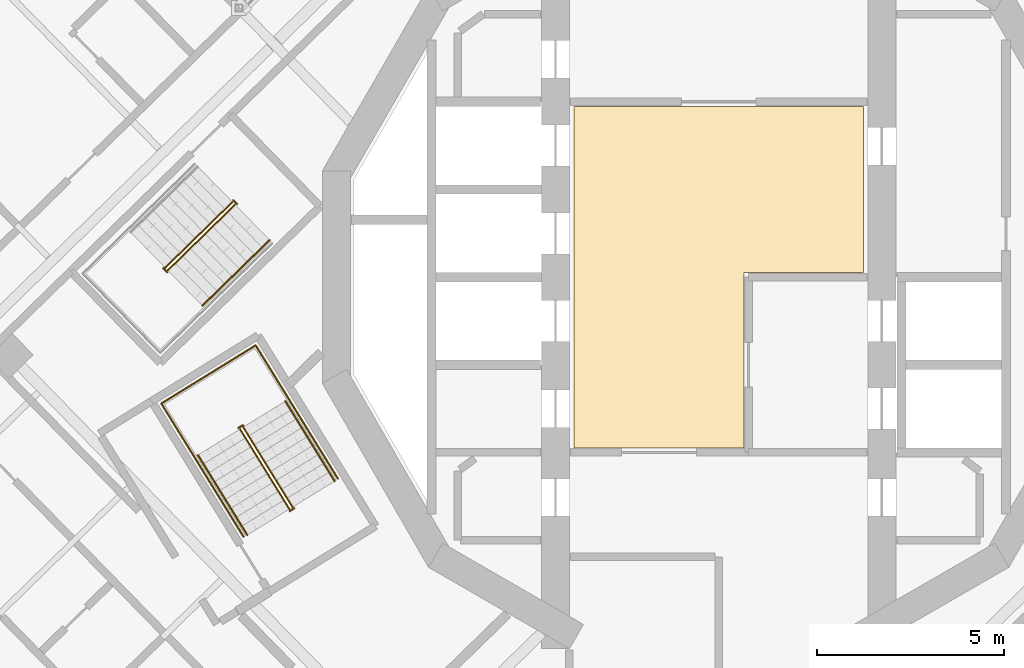
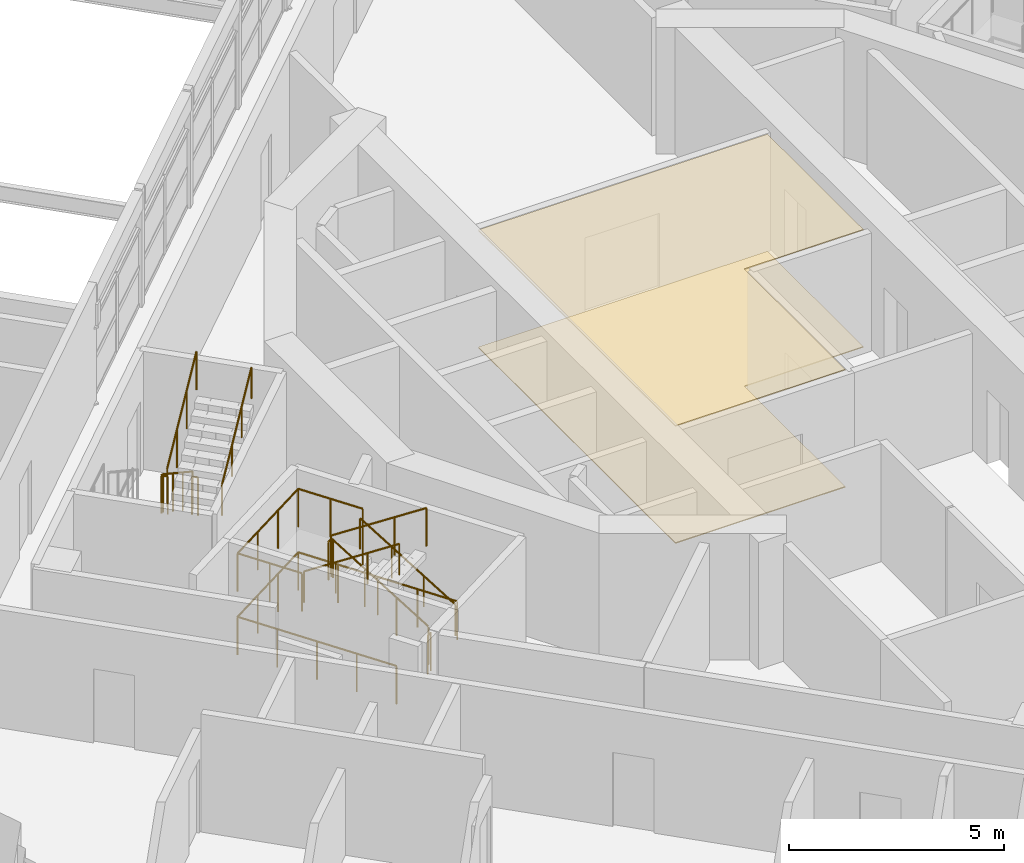
# One storey, part 15 of 19: 11 railings, 2 coverings.
"""IFC4 building model written with IfcOpenShell, lengths in metres."""

from ifc_helpers import new_model, si_unit, direction, frame, origin, origin_2d, place, context, subcontext, project, spatial, polyline, circle, outline, extrude, material, layer, layer_set, type_object, element, save


model = new_model("IFC4")

# Units and contexts
model_context = context("Model", 3, precision=1e-05, world=origin(), true_north=direction((0.0, 1.0)))
body_context = subcontext(model_context, "Body", "Model", "MODEL_VIEW")
ifc_project = project(units=[si_unit("LENGTHUNIT", "METRE"), si_unit("AREAUNIT", "SQUARE_METRE"), si_unit("VOLUMEUNIT", "CUBIC_METRE"), si_unit("PLANEANGLEUNIT", "RADIAN"), si_unit("MASSUNIT", "GRAM", prefix="KILO")], contexts=[model_context])

# Site, building, storey
site_placement = place(None, origin())
site = spatial("IfcSite", under=ifc_project, at=site_placement, CompositionType="ELEMENT")
building_placement = place(site_placement, origin())
building = spatial("IfcBuilding", under=site, at=building_placement, Name="Cantera Rosa Tower", CompositionType="ELEMENT")
storey_placement = place(building_placement, frame((0.0, 0.0, 223.39990234375)))
storey = spatial("IfcBuildingStorey", under=building, at=storey_placement, Name="L48", CompositionType="ELEMENT", Elevation=223.39990234375)

# Railings
ifc_material_1 = material(Name="Steel S355J2 (EN 10025-2)", Category="steel")
railing_type_1 = type_object("IfcRailingType", Name="STAIR GUARD 1100", PredefinedType="GUARDRAIL", material=ifc_material_1)
railing_1_placement = place(storey_placement, frame((-13.032958984375, 2.013427734375, 0.18017578125)))
element("IfcRailing", 1, at=railing_1_placement, inside=storey, type_object=railing_type_1, Name="L48 ST-43 stair guard 1", PredefinedType="GUARDRAIL", context=body_context, shape_type="SweptSolid", body=[
    extrude(circle(Radius=0.02392578125, at=origin_2d()), frame((0.0, 0.0, 1.076171875), z_axis=(-0.60169873645, -0.587844099419, 0.540738333515), x_axis=(0.698823692472, -0.715293958342, 0.0)), (0.0, 0.0, 1.0), 2.99560546875),
    extrude(circle(Radius=0.02392578125, at=origin_2d()), frame((-1.802490234375, -1.760986328125, 2.69580078125), z_axis=(-0.956987977523, -0.290127576896, 0.0), x_axis=(0.290127576896, -0.956987977523, 0.0)), (0.0, 0.0, 1.0), 0.056396484375),
    extrude(circle(Radius=0.02392578125, at=origin_2d()), frame((-1.8564453125, -1.77734375, 2.69580078125), z_axis=(0.698932947801, -0.715187202401, 0.0), x_axis=(0.715187202401, 0.698932947801, 0.0)), (0.0, 0.0, 1.0), 0.150146484375),
    extrude(circle(Radius=0.02099609375, at=origin_2d()), origin(), (0.0, 0.0, 1.0), 1.052001953125),
    extrude(circle(Radius=0.02099609375, at=origin_2d()), frame((-0.600830078125, -0.5869140625, 0.5400390625)), (0.0, 0.0, 1.0), 1.052001953125),
    extrude(circle(Radius=0.02099609375, at=origin_2d()), frame((-1.20166015625, -1.174072265625, 1.079833984375)), (0.0, 0.0, 1.0), 1.052001953125),
    extrude(circle(Radius=0.02099609375, at=origin_2d()), frame((-1.802490234375, -1.760986328125, 1.619873046875)), (0.0, 0.0, 1.0), 1.052001953125),
    extrude(circle(Radius=0.02099609375, at=origin_2d()), frame((-1.8564453125, -1.77734375, 1.619873046875)), (0.0, 0.0, 1.0), 1.052001953125),
    extrude(circle(Radius=0.02099609375, at=origin_2d()), frame((-1.75146484375, -1.884765625, 1.619873046875)), (0.0, 0.0, 1.0), 1.052001953125),
])
railing_2_placement = place(storey_placement, frame((-14.766845703125, 0.182373046875, 1.97998046875)))
element("IfcRailing", 2, at=railing_2_placement, inside=storey, type_object=railing_type_1, Name="L48 ST-43 stair guard 2", PredefinedType="GUARDRAIL", context=body_context, shape_type="SweptSolid", body=[
    extrude(circle(Radius=0.02392578125, at=origin_2d()), frame((0.0, 0.0, 1.076171875), z_axis=(0.601672219931, 0.587818193466, 0.54079599776), x_axis=(-0.698823692472, 0.715293958342, 0.0)), (0.0, 0.0, 1.0), 2.995849609375),
    extrude(circle(Radius=0.02099609375, at=origin_2d()), origin(), (0.0, 0.0, 1.0), 1.052001953125),
    extrude(circle(Radius=0.02099609375, at=origin_2d()), frame((0.600830078125, 0.5869140625, 0.5400390625)), (0.0, 0.0, 1.0), 1.052001953125),
    extrude(circle(Radius=0.02099609375, at=origin_2d()), frame((1.20166015625, 1.174072265625, 1.080078125)), (0.0, 0.0, 1.0), 1.052001953125),
    extrude(circle(Radius=0.02099609375, at=origin_2d()), frame((1.802490234375, 1.760986328125, 1.6201171875)), (0.0, 0.0, 1.0), 1.052001953125),
])
railing_3_placement = place(storey_placement, frame((-13.01513671875, 2.06689453125, 0.0)))
element("IfcRailing", 3, at=railing_3_placement, inside=storey, type_object=railing_type_1, Name="L48 ST-43 stair guard 3", PredefinedType="GUARDRAIL", context=body_context, shape_type="SweptSolid", body=[
    extrude(circle(Radius=0.02392578125, at=origin_2d()), frame((0.0, 0.0, 1.076171875), z_axis=(0.698914008722, -0.715205710557, 0.0), x_axis=(0.715205710557, 0.698914008722, 0.0)), (0.0, 0.0, 1.0), 0.14990234375),
    extrude(circle(Radius=0.02099609375, at=origin_2d()), origin(), (0.0, 0.0, 1.0), 1.052001953125),
    extrude(circle(Radius=0.02099609375, at=origin_2d()), frame((0.104736328125, -0.107177734375, 0.0)), (0.0, 0.0, 1.0), 1.052001953125),
])
railing_4_placement = place(storey_placement, frame((-11.42333984375, -6.165771484375, 0.18017578125)))
element("IfcRailing", 4, at=railing_4_placement, inside=storey, type_object=railing_type_1, Name="L48 ST-44 stair guard 1", PredefinedType="GUARDRAIL", context=body_context, shape_type="SweptSolid", body=[
    extrude(circle(Radius=0.02392578125, at=origin_2d()), frame((0.0, 0.0, 1.076171875), z_axis=(-0.441628529057, 0.715945124149, 0.540728047664), x_axis=(-0.851102330005, -0.524999832248, 0.0)), (0.0, 0.0, 1.0), 2.99560546875),
    extrude(circle(Radius=0.02392578125, at=origin_2d()), frame((-1.322998046875, 2.144775390625, 2.69580078125), z_axis=(-0.073711968402, 0.997279572494, 0.0), x_axis=(-0.997279572494, -0.073711968402, 0.0)), (0.0, 0.0, 1.0), 0.056396484375),
    extrude(circle(Radius=0.02392578125, at=origin_2d()), frame((-1.3271484375, 2.200927734375, 2.69580078125), z_axis=(-0.851546489876, -0.524279100842, 0.0), x_axis=(0.524279100842, -0.851546489876, 0.0)), (0.0, 0.0, 1.0), 0.14990234375),
    extrude(circle(Radius=0.02099609375, at=origin_2d()), origin(), (0.0, 0.0, 1.0), 1.052001953125),
    extrude(circle(Radius=0.02099609375, at=origin_2d()), frame((-0.44091796875, 0.71484375, 0.5400390625)), (0.0, 0.0, 1.0), 1.052001953125),
    extrude(circle(Radius=0.02099609375, at=origin_2d()), frame((-0.882080078125, 1.429931640625, 1.079833984375)), (0.0, 0.0, 1.0), 1.052001953125),
    extrude(circle(Radius=0.02099609375, at=origin_2d()), frame((-1.322998046875, 2.144775390625, 1.619873046875)), (0.0, 0.0, 1.0), 1.052001953125),
    extrude(circle(Radius=0.02099609375, at=origin_2d()), frame((-1.3271484375, 2.200927734375, 1.619873046875)), (0.0, 0.0, 1.0), 1.052001953125),
    extrude(circle(Radius=0.02099609375, at=origin_2d()), frame((-1.454833984375, 2.122314453125, 1.619873046875)), (0.0, 0.0, 1.0), 1.052001953125),
])
railing_5_placement = place(storey_placement, frame((-12.82958984375, -4.072509765625, 1.97998046875)))
element("IfcRailing", 5, at=railing_5_placement, inside=storey, type_object=railing_type_1, Name="L48 ST-44 stair guard 2", PredefinedType="GUARDRAIL", context=body_context, shape_type="SweptSolid", body=[
    extrude(circle(Radius=0.02392578125, at=origin_2d()), frame((0.0, 0.0, 1.076171875), z_axis=(0.44154346381, -0.715939337315, 0.540805172729), x_axis=(0.851145618652, 0.524929648476, 0.0)), (0.0, 0.0, 1.0), 2.995849609375),
    extrude(circle(Radius=0.02099609375, at=origin_2d()), origin(), (0.0, 0.0, 1.0), 1.052001953125),
    extrude(circle(Radius=0.02099609375, at=origin_2d()), frame((0.44091796875, -0.71484375, 0.5400390625)), (0.0, 0.0, 1.0), 1.052001953125),
    extrude(circle(Radius=0.02099609375, at=origin_2d()), frame((0.8818359375, -1.429931640625, 1.080078125)), (0.0, 0.0, 1.0), 1.052001953125),
    extrude(circle(Radius=0.02099609375, at=origin_2d()), frame((1.32275390625, -2.144775390625, 1.6201171875)), (0.0, 0.0, 1.0), 1.052001953125),
])
railing_6_placement = place(storey_placement, frame((-11.375, -6.19482421875, 0.0)))
element("IfcRailing", 6, at=railing_6_placement, inside=storey, type_object=railing_type_1, Name="L48 ST-44 stair guard 3", PredefinedType="GUARDRAIL", context=body_context, shape_type="SweptSolid", body=[
    extrude(circle(Radius=0.02392578125, at=origin_2d()), frame((0.0, 0.0, 1.076171875), z_axis=(-0.851546489876, -0.524279100842, 0.0), x_axis=(0.524279100842, -0.851546489876, 0.0)), (0.0, 0.0, 1.0), 0.14990234375),
    extrude(circle(Radius=0.02099609375, at=origin_2d()), origin(), (0.0, 0.0, 1.0), 1.052001953125),
    extrude(circle(Radius=0.02099609375, at=origin_2d()), frame((-0.127685546875, -0.07861328125, 0.0)), (0.0, 0.0, 1.0), 1.052001953125),
])
railing_7_placement = place(storey_placement, frame((-10.20751953125, -5.40185546875, 0.0)))
element("IfcRailing", 7, at=railing_7_placement, inside=storey, type_object=railing_type_1, Name="L48 ST-44 stair guard 4", PredefinedType="GUARDRAIL", context=body_context, shape_type="SweptSolid", body=[
    extrude(circle(Radius=0.02392578125, at=origin_2d()), frame((0.0, 0.0, 1.076171875), z_axis=(-0.524976478809, 0.851116735059, 0.0), x_axis=(-0.851116735059, -0.524976478809, 0.0)), (0.0, 0.0, 1.0), 4.197998046875),
    extrude(circle(Radius=0.02392578125, at=origin_2d()), frame((-2.203857421875, 3.572998046875, 1.076171875), z_axis=(-0.851132917336, -0.524950242429, 0.0), x_axis=(0.524950242429, -0.851132917336, 0.0)), (0.0, 0.0, 1.0), 2.969970703125),
    extrude(circle(Radius=0.02392578125, at=origin_2d()), frame((-4.731689453125, 2.013916015625, 1.076171875), z_axis=(0.524976478809, -0.851116735059, 0.0), x_axis=(0.851116735059, 0.524976478809, 0.0)), (0.0, 0.0, 1.0), 4.197998046875),
    extrude(circle(Radius=0.02099609375, at=origin_2d()), origin(), (0.0, 0.0, 1.0), 1.052001953125),
    extrude(circle(Radius=0.02099609375, at=origin_2d()), frame((-0.551025390625, 0.893310546875, 0.0)), (0.0, 0.0, 1.0), 1.052001953125),
    extrude(circle(Radius=0.02099609375, at=origin_2d()), frame((-1.10205078125, 1.78662109375, 0.0)), (0.0, 0.0, 1.0), 1.052001953125),
    extrude(circle(Radius=0.02099609375, at=origin_2d()), frame((-1.65283203125, 2.6796875, 0.0)), (0.0, 0.0, 1.0), 1.052001953125),
    extrude(circle(Radius=0.02099609375, at=origin_2d()), frame((-2.203857421875, 3.572998046875, 0.0)), (0.0, 0.0, 1.0), 1.052001953125),
    extrude(circle(Radius=0.02099609375, at=origin_2d()), frame((-3.04638671875, 3.05322265625, 0.0)), (0.0, 0.0, 1.0), 1.052001953125),
    extrude(circle(Radius=0.02099609375, at=origin_2d()), frame((-3.88916015625, 2.53369140625, 0.0)), (0.0, 0.0, 1.0), 1.052001953125),
    extrude(circle(Radius=0.02099609375, at=origin_2d()), frame((-4.731689453125, 2.013916015625, 0.0)), (0.0, 0.0, 1.0), 1.052001953125),
    extrude(circle(Radius=0.02099609375, at=origin_2d()), frame((-4.1806640625, 1.12060546875, 0.0)), (0.0, 0.0, 1.0), 1.052001953125),
    extrude(circle(Radius=0.02099609375, at=origin_2d()), frame((-3.6298828125, 0.2275390625, 0.0)), (0.0, 0.0, 1.0), 1.052001953125),
    extrude(circle(Radius=0.02099609375, at=origin_2d()), frame((-3.078857421875, -0.665771484375, 0.0)), (0.0, 0.0, 1.0), 1.052001953125),
    extrude(circle(Radius=0.02099609375, at=origin_2d()), frame((-2.52783203125, -1.55908203125, 0.0)), (0.0, 0.0, 1.0), 1.052001953125),
])
railing_8_placement = place(storey_placement, frame((-11.517822265625, -3.27734375, 1.800048828125)))
element("IfcRailing", 8, at=railing_8_placement, inside=storey, type_object=railing_type_1, Name="L48 ST-44 stair guard 5", PredefinedType="GUARDRAIL", context=body_context, shape_type="SweptSolid", body=[
    extrude(circle(Radius=0.02392578125, at=origin_2d()), frame((0.0, 0.0, 1.076171875), z_axis=(-0.525025534833, 0.851086474909, 0.0), x_axis=(-0.851086474909, -0.525025534833, 0.0)), (0.0, 0.0, 1.0), 1.701904296875),
    extrude(circle(Radius=0.02392578125, at=origin_2d()), frame((-0.8935546875, 1.448486328125, 1.076171875), z_axis=(-0.851132917336, -0.524950242429, 0.0), x_axis=(0.524950242429, -0.851132917336, 0.0)), (0.0, 0.0, 1.0), 2.969970703125),
    extrude(circle(Radius=0.02392578125, at=origin_2d()), frame((-3.42138671875, -0.110595703125, 1.076171875), z_axis=(0.524961441845, -0.851126009811, 0.0), x_axis=(0.851126009811, 0.524961441845, 0.0)), (0.0, 0.0, 1.0), 1.7021484375),
    extrude(circle(Radius=0.02099609375, at=origin_2d()), origin(), (0.0, 0.0, 1.0), 1.052001953125),
    extrude(circle(Radius=0.02099609375, at=origin_2d()), frame((-0.44677734375, 0.72412109375, 0.0)), (0.0, 0.0, 1.0), 1.052001953125),
    extrude(circle(Radius=0.02099609375, at=origin_2d()), frame((-0.8935546875, 1.448486328125, 0.0)), (0.0, 0.0, 1.0), 1.052001953125),
    extrude(circle(Radius=0.02099609375, at=origin_2d()), frame((-1.736083984375, 0.9287109375, 0.0)), (0.0, 0.0, 1.0), 1.052001953125),
    extrude(circle(Radius=0.02099609375, at=origin_2d()), frame((-2.578857421875, 0.4091796875, 0.0)), (0.0, 0.0, 1.0), 1.052001953125),
    extrude(circle(Radius=0.02099609375, at=origin_2d()), frame((-3.42138671875, -0.110595703125, 0.0)), (0.0, 0.0, 1.0), 1.052001953125),
    extrude(circle(Radius=0.02099609375, at=origin_2d()), frame((-2.974609375, -0.8349609375, 0.0)), (0.0, 0.0, 1.0), 1.052001953125),
    extrude(circle(Radius=0.02099609375, at=origin_2d()), frame((-2.52783203125, -1.559326171875, 0.0)), (0.0, 0.0, 1.0), 1.052001953125),
])
ifc_material_2 = material(Name="Steel S355J2 (EN 10025-2)", Category="steel")
railing_type_2 = type_object("IfcRailingType", Name="STAIR HANDRAIL 900", PredefinedType="HANDRAIL", material=ifc_material_2)
railing_9_placement = place(storey_placement, frame((-13.84033203125, -0.76611328125, 1.97998046875)))
element("IfcRailing", 9, at=railing_9_placement, inside=storey, type_object=railing_type_2, Name="L48 ST-43 stair handrail 2", PredefinedType="HANDRAIL", context=body_context, shape_type="SweptSolid", body=[
    extrude(circle(Radius=0.02392578125, at=origin_2d()), frame((0.0, 0.0, 0.8759765625), z_axis=(0.601724208683, 0.587789371239, 0.540769481151), x_axis=(-0.698775265409, 0.715341267126, 0.0)), (0.0, 0.0, 1.0), 2.995849609375),
    extrude(circle(Radius=0.02099609375, at=origin_2d()), origin(), (0.0, 0.0, 1.0), 0.851806640625),
    extrude(circle(Radius=0.02099609375, at=origin_2d()), frame((0.600830078125, 0.5869140625, 0.5400390625)), (0.0, 0.0, 1.0), 0.851806640625),
    extrude(circle(Radius=0.02099609375, at=origin_2d()), frame((1.201904296875, 1.174072265625, 1.080078125)), (0.0, 0.0, 1.0), 0.851806640625),
    extrude(circle(Radius=0.02099609375, at=origin_2d()), frame((1.802734375, 1.760986328125, 1.6201171875)), (0.0, 0.0, 1.0), 0.851806640625),
])
railing_10_placement = place(storey_placement, frame((-10.294677734375, -5.4697265625, 0.18017578125)))
element("IfcRailing", 10, at=railing_10_placement, inside=storey, type_object=railing_type_2, Name="L48 ST-44 stair handrail 1", PredefinedType="HANDRAIL", context=body_context, shape_type="SweptSolid", body=[
    extrude(circle(Radius=0.02392578125, at=origin_2d()), frame((0.0, 0.0, 0.8759765625), z_axis=(-0.441628529057, 0.715945124149, 0.540728047664), x_axis=(-0.851102330005, -0.524999832248, 0.0)), (0.0, 0.0, 1.0), 2.99560546875),
    extrude(circle(Radius=0.02099609375, at=origin_2d()), origin(), (0.0, 0.0, 1.0), 0.851806640625),
    extrude(circle(Radius=0.02099609375, at=origin_2d()), frame((-0.44091796875, 0.71484375, 0.5400390625)), (0.0, 0.0, 1.0), 0.851806640625),
    extrude(circle(Radius=0.02099609375, at=origin_2d()), frame((-0.882080078125, 1.429931640625, 1.079833984375)), (0.0, 0.0, 1.0), 0.851806640625),
    extrude(circle(Radius=0.02099609375, at=origin_2d()), frame((-1.322998046875, 2.144775390625, 1.619873046875)), (0.0, 0.0, 1.0), 0.851806640625),
])
railing_11_placement = place(storey_placement, frame((-13.958251953125, -4.7685546875, 1.97998046875)))
element("IfcRailing", 11, at=railing_11_placement, inside=storey, type_object=railing_type_2, Name="L48 ST-44 stair handrail 2", PredefinedType="HANDRAIL", context=body_context, shape_type="SweptSolid", body=[
    extrude(circle(Radius=0.02392578125, at=origin_2d()), frame((0.0, 0.0, 0.8759765625), z_axis=(0.441609067481, -0.715913574058, 0.540785711718), x_axis=(0.851102330005, 0.524999832248, 0.0)), (0.0, 0.0, 1.0), 2.995849609375),
    extrude(circle(Radius=0.02099609375, at=origin_2d()), origin(), (0.0, 0.0, 1.0), 0.851806640625),
    extrude(circle(Radius=0.02099609375, at=origin_2d()), frame((0.44091796875, -0.71484375, 0.5400390625)), (0.0, 0.0, 1.0), 0.851806640625),
    extrude(circle(Radius=0.02099609375, at=origin_2d()), frame((0.882080078125, -1.429931640625, 1.080078125)), (0.0, 0.0, 1.0), 0.851806640625),
    extrude(circle(Radius=0.02099609375, at=origin_2d()), frame((1.322998046875, -2.144775390625, 1.6201171875)), (0.0, 0.0, 1.0), 0.851806640625),
])

# Coverings
ifc_material_3 = material(Name="Limestone paving", Category="masonry")
ifc_layer_1 = layer(ifc_material_3, 0.02490234375)
ifc_layer_set_1 = layer_set([ifc_layer_1], Name="STONE FLOOR FINISH 25")
covering_type_1 = type_object("IfcCoveringType", Name="STONE FLOOR FINISH 25", PredefinedType="FLOORING", material=ifc_layer_set_1)
covering_1_placement = place(storey_placement, origin())
element("IfcCovering", 12, at=covering_1_placement, inside=storey, type_object=covering_type_1, Name="STONE FLOOR FINISH L48", PredefinedType="FLOORING", context=body_context, shape_type="SweptSolid", body=[
    extrude(outline(polyline([(3.8798828125, 4.580078125), (3.8798828125, 0.1201171875), (0.679931640625, 0.1201171875), (0.679931640625, -4.580078125), (-3.8798828125, -4.580078125), (-3.8798828125, 4.580078125), (3.8798828125, 4.580078125)])), origin(), (0.0, 0.0, 1.0), 0.025146484375),
])
ifc_material_4 = material(Name="Gypsum ceiling tile")
ifc_layer_2 = layer(ifc_material_4, 0.030029296875)
ifc_layer_set_2 = layer_set([ifc_layer_2], Name="SUSPENDED CEILING 30")
covering_type_2 = type_object("IfcCoveringType", Name="SUSPENDED CEILING 30", PredefinedType="CEILING", material=ifc_layer_set_2)
covering_2_placement = place(storey_placement, frame((0.0, 0.0, 3.320068359375)))
element("IfcCovering", 13, at=covering_2_placement, inside=storey, type_object=covering_type_2, Name="SUSPENDED CEILING L48", PredefinedType="CEILING", context=body_context, shape_type="SweptSolid", body=[
    extrude(outline(polyline([(3.8798828125, 4.580078125), (3.8798828125, 0.1201171875), (0.679931640625, 0.1201171875), (0.679931640625, -4.580078125), (-3.8798828125, -4.580078125), (-3.8798828125, 4.580078125), (3.8798828125, 4.580078125)])), origin(), (0.0, 0.0, 1.0), 0.030029296875),
])

save(model, "model.ifc")
